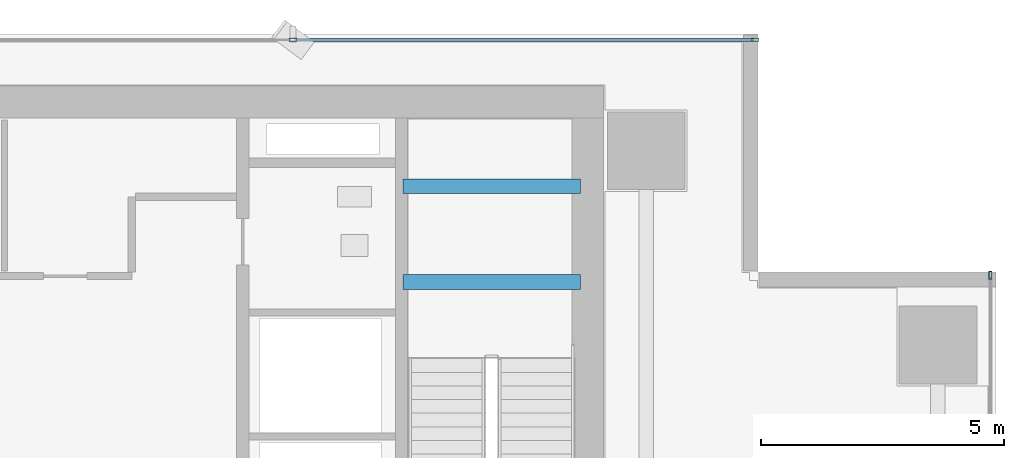
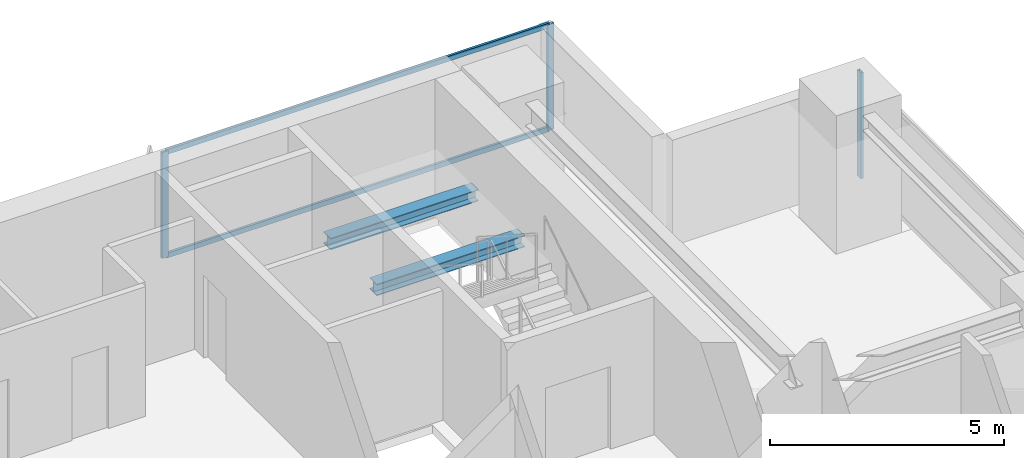
# One storey, part 19 of 28: 5 members, 2 beams, 2 elements without a shape of their own.
"""IFC4 building model written with IfcOpenShell, lengths in metres."""

from ifc_helpers import new_model, si_unit, direction, frame, origin, origin_2d, place, context, subcontext, project, spatial, hollow_rectangle, i_section, extrude, source, transform, mapped, material, layer, layer_set, material_profile, profile_set, type_object, element, aggregate, save


model = new_model("IFC4")

# Units and contexts
model_context = context("Model", 3, precision=1e-05, world=origin(), true_north=direction((0.0, 1.0)))
body_context = subcontext(model_context, "Body", "Model", "MODEL_VIEW")
ifc_project = project(units=[si_unit("LENGTHUNIT", "METRE"), si_unit("AREAUNIT", "SQUARE_METRE"), si_unit("VOLUMEUNIT", "CUBIC_METRE"), si_unit("PLANEANGLEUNIT", "RADIAN"), si_unit("MASSUNIT", "GRAM", prefix="KILO")], contexts=[model_context])

# Site, building, storey
site_placement = place(None, origin())
site = spatial("IfcSite", under=ifc_project, at=site_placement, CompositionType="ELEMENT")
building_placement = place(site_placement, origin())
building = spatial("IfcBuilding", under=site, at=building_placement, Name="Sumidabori Civic Tower", CompositionType="ELEMENT")
storey_placement = place(building_placement, frame((0.0, 0.0, 167.60009765625)))
storey = spatial("IfcBuildingStorey", under=building, at=storey_placement, Name="L43", CompositionType="ELEMENT", Elevation=167.60009765625)

# Beams
ifc_material_1 = material(Name="Steel SN490", Category="steel")
ifc_material_profile_1 = material_profile(ifc_material_1, i_section(OverallWidth=0.300048828125, OverallDepth=0.300048828125, WebThickness=0.010986328125, FlangeThickness=0.01904296875, at=origin_2d()), Name="HE 300 B")
ifc_profile_set_1 = profile_set([ifc_material_profile_1], Name="Steel SN490")
beam_type = type_object("IfcBeamType", Name="BM-LDG-300", PredefinedType="BEAM", material=ifc_profile_set_1)
shared_shape_1 = source(origin(), body_context, "Body", "SweptSolid", [
    extrude(i_section(OverallWidth=0.300048828125, OverallDepth=0.300048828125, WebThickness=0.010986328125, FlangeThickness=0.01904296875, at=origin_2d()), origin(), (0.0, 0.0, 1.0), 3.64990234375),
])
for number, where, z_axis, x_axis, name in (
    (1, (11.800048828125, 20.09765625, 1.449951171875), (1.0, 0.0, 0.0), (0.0, 1.0, 0.0), "Stair ST-2 Landing Support Beam L43-1A"),
    (2, (11.800048828125, 22.069580078125, 1.449951171875), (1.0, 0.0, 0.0), (0.0, 1.0, 0.0), "Stair ST-2 Landing Trimmer Beam L43-1B"),
):
    element("IfcBeam", number, at=place(storey_placement, frame(where, z_axis=z_axis, x_axis=x_axis)), inside=storey, type_object=beam_type, Name=name, PredefinedType="BEAM", context=body_context, shape_type="MappedRepresentation", body=[
        mapped(shared_shape_1, transform((0.0, 0.0, 0.0), x_axis=(1.0, 0.0, 0.0), y_axis=(0.0, 1.0, 0.0), z_axis=(0.0, 0.0, 1.0), scale=1.0)),
    ])

# Curtain wall, member
ifc_material_2 = material(Name="Anodised Bronze Aluminium AW-6063-T6", Category="aluminium")
ifc_layer = layer(ifc_material_2, 0.179931640625, Name="Anodised Bronze Aluminium AW-6063-T6")
ifc_layer_set = layer_set([ifc_layer], Name="Anodised Bronze Aluminium AW-6063-T6")
curtain_wall_type = type_object("IfcCurtainWallType", Name="CW-SYS-3", PredefinedType="NOTDEFINED", material=ifc_layer_set)
curtain_wall_1_placement = place(storey_placement, origin())
curtain_wall_1 = element("IfcCurtainWall", 3, at=curtain_wall_1_placement, inside=storey, type_object=curtain_wall_type, Name="Curtain Wall CW:L43:R04", PredefinedType="NOTDEFINED")
ifc_material_profile_2 = material_profile(ifc_material_2, hollow_rectangle(XDim=0.06494140625, YDim=0.159912109375, WallThickness=0.0048828125, at=origin_2d()), Name="ALU MULLION 160x65")
ifc_profile_set_2 = profile_set([ifc_material_profile_2], Name="Anodised Bronze Aluminium AW-6063-T6")
member_type_1 = type_object("IfcMemberType", Name="CW-MUL-160", PredefinedType="MULLION", material=ifc_profile_set_2)
shared_shape_2 = source(origin(), body_context, "Body", "SweptSolid", [
    extrude(hollow_rectangle(XDim=0.06494140625, YDim=0.159912109375, WallThickness=0.0048828125, at=origin_2d()), origin(), (0.0, 0.0, 1.0), 2.760009765625),
])
member_1_placement = place(storey_placement, frame((23.8798828125, 20.237548828125, 0.0), z_axis=(0.0, 0.0, 1.0), x_axis=(-1.0, 0.0, 0.0)))
member_1 = element("IfcMember", 4, at=member_1_placement, type_object=member_type_1, Name="CW-3 mullion 5", PredefinedType="MULLION", context=body_context, shape_type="MappedRepresentation", body=[
    mapped(shared_shape_2, transform((0.0, 0.0, 0.0), x_axis=(1.0, 0.0, 0.0), y_axis=(0.0, 1.0, 0.0), z_axis=(0.0, 0.0, 1.0), scale=1.0)),
])
aggregate(curtain_wall_1, [member_1])

# Curtain wall, members
curtain_wall_2_placement = place(storey_placement, origin())
curtain_wall_2 = element("IfcCurtainWall", 5, at=curtain_wall_2_placement, inside=storey, type_object=curtain_wall_type, Name="Curtain Wall CW:L43:R07", PredefinedType="NOTDEFINED")
member_2_placement = place(storey_placement, frame((19.03759765625, 25.080078125, 0.0), z_axis=(0.0, 0.0, 1.0), x_axis=(0.0, -1.0, 0.0)))
member_2 = element("IfcMember", 6, at=member_2_placement, type_object=member_type_1, Name="CW-3 mullion 1", PredefinedType="MULLION", context=body_context, shape_type="MappedRepresentation", body=[
    mapped(shared_shape_2, transform((0.0, 0.0, 0.0), x_axis=(1.0, 0.0, 0.0), y_axis=(0.0, 1.0, 0.0), z_axis=(0.0, 0.0, 1.0), scale=1.0)),
])
member_3_placement = place(storey_placement, frame((9.534912109375, 25.080078125, 0.0), z_axis=(0.0, 0.0, 1.0), x_axis=(0.0, -1.0, 0.0)))
member_3 = element("IfcMember", 7, at=member_3_placement, type_object=member_type_1, Name="CW-3 mullion 2", PredefinedType="MULLION", context=body_context, shape_type="MappedRepresentation", body=[
    mapped(shared_shape_2, transform((0.0, 0.0, 0.0), x_axis=(1.0, 0.0, 0.0), y_axis=(0.0, 1.0, 0.0), z_axis=(0.0, 0.0, 1.0), scale=1.0)),
])
ifc_material_profile_3 = material_profile(ifc_material_2, hollow_rectangle(XDim=0.06005859375, YDim=0.1298828125, WallThickness=0.0048828125, at=origin_2d()), Name="ALU TRANSOM 130x60")
ifc_profile_set_3 = profile_set([ifc_material_profile_3], Name="Anodised Bronze Aluminium AW-6063-T6")
member_type_2 = type_object("IfcMemberType", Name="CW-TRN-130", PredefinedType="USERDEFINED", material=ifc_profile_set_3)
shared_shape_3 = source(origin(), body_context, "Body", "SweptSolid", [
    extrude(hollow_rectangle(XDim=0.06005859375, YDim=0.1298828125, WallThickness=0.0048828125, at=origin_2d()), origin(), (0.0, 0.0, 1.0), 9.4375),
])
member_4_placement = place(storey_placement, frame((19.0048828125, 25.080078125, 0.02978515625), z_axis=(-1.0, 0.0, 0.0), x_axis=(0.0, -1.0, 0.0)))
member_4 = element("IfcMember", 8, at=member_4_placement, type_object=member_type_2, Name="CW-3 transom 1.1", ObjectType="TRANSOM", PredefinedType="USERDEFINED", context=body_context, shape_type="MappedRepresentation", body=[
    mapped(shared_shape_3, transform((0.0, 0.0, 0.0), x_axis=(1.0, 0.0, 0.0), y_axis=(0.0, 1.0, 0.0), z_axis=(0.0, 0.0, 1.0), scale=1.0)),
])
member_5_placement = place(storey_placement, frame((19.0048828125, 25.080078125, 2.72998046875), z_axis=(-1.0, 0.0, 0.0), x_axis=(0.0, -1.0, 0.0)))
member_5 = element("IfcMember", 9, at=member_5_placement, type_object=member_type_2, Name="CW-3 transom 1.2", ObjectType="TRANSOM", PredefinedType="USERDEFINED", context=body_context, shape_type="MappedRepresentation", body=[
    mapped(shared_shape_3, transform((0.0, 0.0, 0.0), x_axis=(1.0, 0.0, 0.0), y_axis=(0.0, 1.0, 0.0), z_axis=(0.0, 0.0, 1.0), scale=1.0)),
])
aggregate(curtain_wall_2, [member_2, member_3, member_4, member_5])

save(model, "model.ifc")
